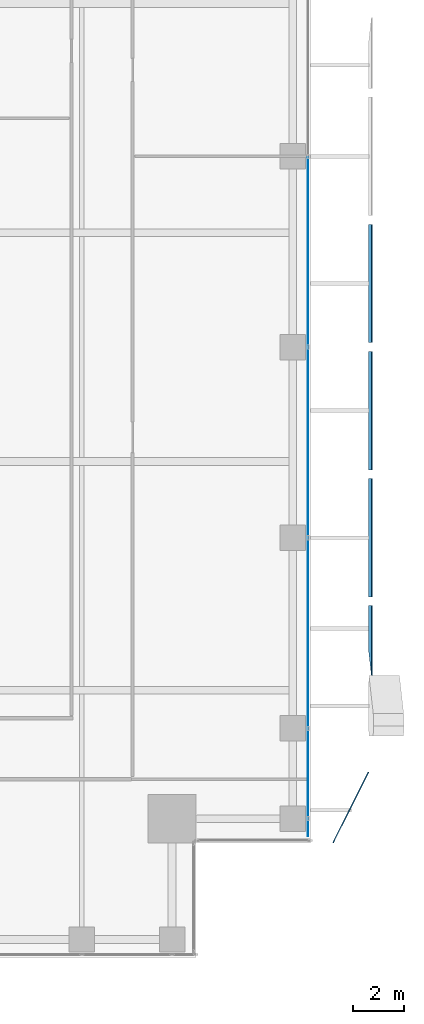
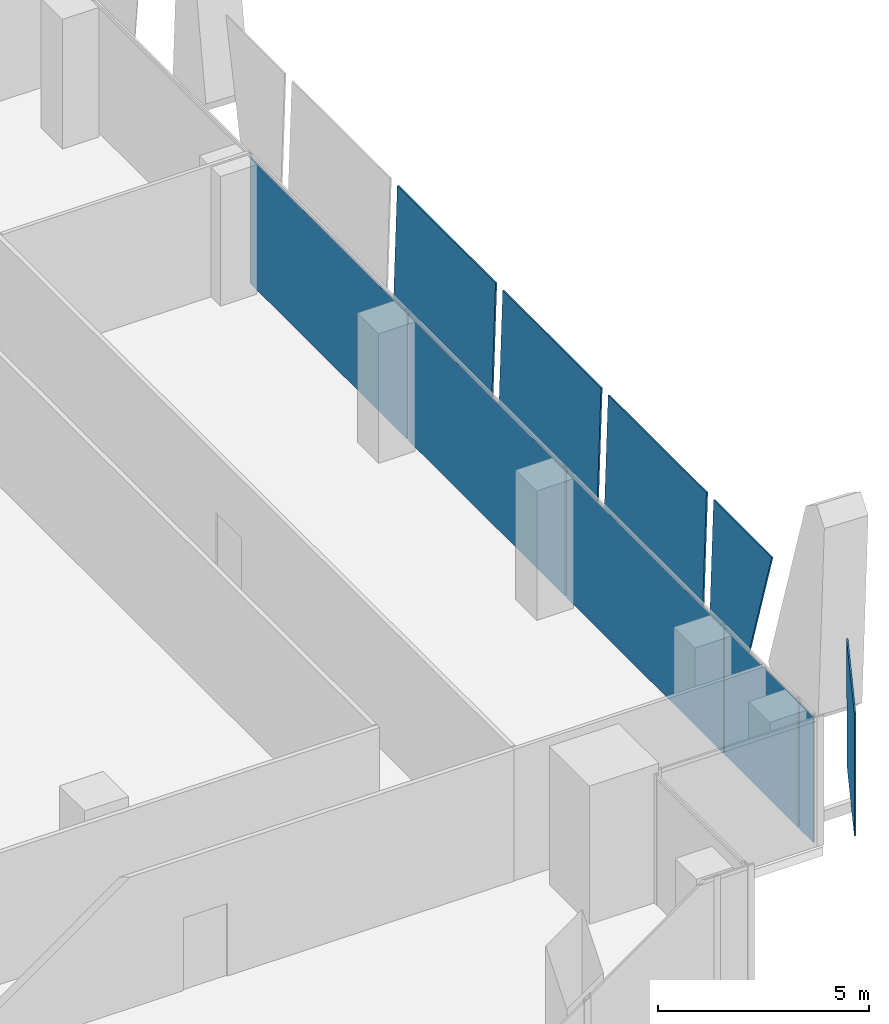
# One storey, part 29 of 38: 10 plates, 1 element without a shape of its own.
"""IFC4 building model written with IfcOpenShell, lengths in metres."""

from ifc_helpers import new_model, si_unit, direction, frame, origin, origin_2d, place, context, subcontext, project, spatial, polyline, rectangle, outline, extrude, source, transform, mapped, material, layer, layer_set, type_object, element, aggregate, save


model = new_model("IFC4")

# Units and contexts
model_context = context("Model", 3, precision=1e-05, world=origin(), true_north=direction((0.0, 1.0)))
body_context = subcontext(model_context, "Body", "Model", "MODEL_VIEW")
ifc_project = project(units=[si_unit("LENGTHUNIT", "METRE"), si_unit("AREAUNIT", "SQUARE_METRE"), si_unit("VOLUMEUNIT", "CUBIC_METRE"), si_unit("PLANEANGLEUNIT", "RADIAN"), si_unit("MASSUNIT", "GRAM", prefix="KILO")], contexts=[model_context])

# Site, building, storey
site_placement = place(None, origin())
site = spatial("IfcSite", under=ifc_project, at=site_placement, CompositionType="ELEMENT")
building_placement = place(site_placement, origin())
building = spatial("IfcBuilding", under=site, at=building_placement, Name="Khomas Fold Tower", CompositionType="ELEMENT")
storey_placement = place(building_placement, frame((0.0, 0.0, 208.699951171875)))
storey = spatial("IfcBuildingStorey", under=building, at=storey_placement, Name="L46", CompositionType="ELEMENT", Elevation=208.699951171875)

# Plates
ifc_material_1 = material(Name="Clear laminated glass", Category="glass")
ifc_layer_1 = layer(ifc_material_1, 0.0400390625)
ifc_layer_set_1 = layer_set([ifc_layer_1], Name="Clear laminated glass")
plate_type_1 = type_object("IfcPlateType", Name="SK-Clear laminated glass leaf", PredefinedType="SHEET", material=ifc_layer_set_1)
plate_1_placement = place(storey_placement, frame((53.17724609375, 10.054443359375, 0.0), z_axis=(0.894410806248, -0.447246363502, 1.281684e-06), x_axis=(-0.447246363502, -0.894410806249, 2e-12)))
element("IfcPlate", 1, at=plate_1_placement, inside=storey, type_object=plate_type_1, Name="OUTER SKIN glass L46 EG099-1", PredefinedType="SHEET", context=body_context, shape_type="SweptSolid", body=[
    extrude(outline(polyline([(0.0, 0.0), (2.8560090917044354, 0.0), (2.8560090917116843, -3.550048828122085), (-0.2483913401000799, -3.5500488281342557), (0.0, 0.0)])), origin(), (0.0, 0.0, -1.0), 0.0400390625),
])
plate_2_placement = place(storey_placement, frame((53.27734375, 15.06298828125, 0.0), z_axis=(-0.999510801098, 0.0, 0.031275525377), x_axis=(0.030132468106, -0.267880952721, 0.9629807005)))
element("IfcPlate", 2, at=plate_2_placement, inside=storey, type_object=plate_type_1, Name="OUTER SKIN glass L46 EG100-2", PredefinedType="SHEET", context=body_context, shape_type="SweptSolid", body=[
    extrude(outline(polyline([(0.0, 0.0), (3.6865212628692885, 0.0), (2.948606031044294, 2.653962193255573), (-0.4733697108880006, 1.702506279782313), (0.0, 0.0)])), origin(), (0.0, 0.0, -1.0), 0.0400390625),
])
for number, where, z_axis, x_axis, name in (
    (3, (53.27734375, 17.169921875, 0.0), (-0.999510801098, 0.0, 0.031275525377), (0.031275525377, 0.0, 0.999510801098), "OUTER SKIN glass L46 EG101-3"),
    (4, (53.27734375, 22.169921875, 0.0), (-0.999510801098, 0.0, 0.031275525377), (0.031275525377, 0.0, 0.999510801098), "OUTER SKIN glass L46 EG102-4"),
    (5, (53.27734375, 27.169921875, 0.0), (-0.999510801098, 0.0, 0.031275525377), (0.031275525377, 0.0, 0.999510801098), "OUTER SKIN glass L46 EG103-5"),
):
    element("IfcPlate", number, at=place(storey_placement, frame(where, z_axis=z_axis, x_axis=x_axis)), inside=storey, type_object=plate_type_1, Name=name, PredefinedType="SHEET", context=body_context, shape_type="SweptSolid", body=[
        extrude(outline(polyline([(0.0, 0.0), (3.551786358110002, 0.0), (3.551786358110002, 4.66015625), (0.0, 4.66015625), (0.0, 0.0)])), origin(), (0.0, 0.0, -1.0), 0.0400390625),
    ])

# Curtain wall, plates
ifc_material_2 = material(Name="Aluminium framed double glazing", Category="aluminium")
curtain_wall_type = type_object("IfcCurtainWallType", Name="SK-Unitised clear-glass wall, office floors CW2", PredefinedType="NOTDEFINED", material=ifc_material_2)
curtain_wall_placement = place(storey_placement, origin())
curtain_wall = element("IfcCurtainWall", 6, at=curtain_wall_placement, inside=storey, type_object=curtain_wall_type, Name="CW2 run L46 03-0", PredefinedType="NOTDEFINED")
ifc_material_3 = material(Name="Clear double glazed unit")
ifc_layer_2 = layer(ifc_material_3, 0.030029296875)
ifc_layer_set_2 = layer_set([ifc_layer_2], Name="Clear double glazed unit")
plate_type_2 = type_object("IfcPlateType", Name="SK-Unitised clear-glass wall, office floors glass panel CW2-P", PredefinedType="CURTAIN_PANEL", material=ifc_layer_set_2)
shared_shape_1 = source(origin(), body_context, "Body", "SweptSolid", [
    extrude(rectangle(XDim=0.659912109375, YDim=0.030029296875, at=origin_2d()), origin(), (0.0, 0.0, 1.0), 3.639892578125),
])
plate_3_placement = place(storey_placement, frame((50.89990234375, 8.090087890625, 0.0), z_axis=(0.0, 0.0, 1.0), x_axis=(0.0, 1.0, 0.0)))
plate_3 = element("IfcPlate", 7, at=plate_3_placement, type_object=plate_type_2, Name="CW2 glass panel 1", PredefinedType="CURTAIN_PANEL", context=body_context, shape_type="MappedRepresentation", body=[
    mapped(shared_shape_1, transform((0.0, 0.0, 0.0))),
])
shared_shape_2 = source(origin(), body_context, "Body", "SweptSolid", [
    extrude(rectangle(XDim=3.489990234375, YDim=0.030029296875, at=origin_2d()), origin(), (0.0, 0.0, 1.0), 3.639892578125),
])
plate_4_placement = place(storey_placement, frame((50.89990234375, 10.22509765625, 0.0), z_axis=(0.0, 0.0, 1.0), x_axis=(0.0, 1.0, 0.0)))
plate_4 = element("IfcPlate", 8, at=plate_4_placement, type_object=plate_type_2, Name="CW2 glass panel 2", PredefinedType="CURTAIN_PANEL", context=body_context, shape_type="MappedRepresentation", body=[
    mapped(shared_shape_2, transform((0.0, 0.0, 0.0))),
])
shared_shape_3 = source(origin(), body_context, "Body", "SweptSolid", [
    extrude(rectangle(XDim=7.43994140625, YDim=0.030029296875, at=origin_2d()), origin(), (0.0, 0.0, 1.0), 3.639892578125),
])
plate_5_placement = place(storey_placement, frame((50.89990234375, 15.75, 0.0), z_axis=(0.0, 0.0, 1.0), x_axis=(0.0, 1.0, 0.0)))
plate_5 = element("IfcPlate", 9, at=plate_5_placement, type_object=plate_type_2, Name="CW2 glass panel 3", PredefinedType="CURTAIN_PANEL", context=body_context, shape_type="MappedRepresentation", body=[
    mapped(shared_shape_3, transform((0.0, 0.0, 0.0))),
])
plate_6_placement = place(storey_placement, frame((50.89990234375, 23.25, 0.0), z_axis=(0.0, 0.0, 1.0), x_axis=(0.0, 1.0, 0.0)))
plate_6 = element("IfcPlate", 10, at=plate_6_placement, type_object=plate_type_2, Name="CW2 glass panel 4", PredefinedType="CURTAIN_PANEL", context=body_context, shape_type="MappedRepresentation", body=[
    mapped(shared_shape_3, transform((0.0, 0.0, 0.0))),
])
plate_7_placement = place(storey_placement, frame((50.89990234375, 30.75, 0.0), z_axis=(0.0, 0.0, 1.0), x_axis=(0.0, 1.0, 0.0)))
plate_7 = element("IfcPlate", 11, at=plate_7_placement, type_object=plate_type_2, Name="CW2 glass panel 5", PredefinedType="CURTAIN_PANEL", context=body_context, shape_type="MappedRepresentation", body=[
    mapped(shared_shape_3, transform((0.0, 0.0, 0.0))),
])
aggregate(curtain_wall, [plate_3, plate_4, plate_5, plate_6, plate_7])

save(model, "model.ifc")
